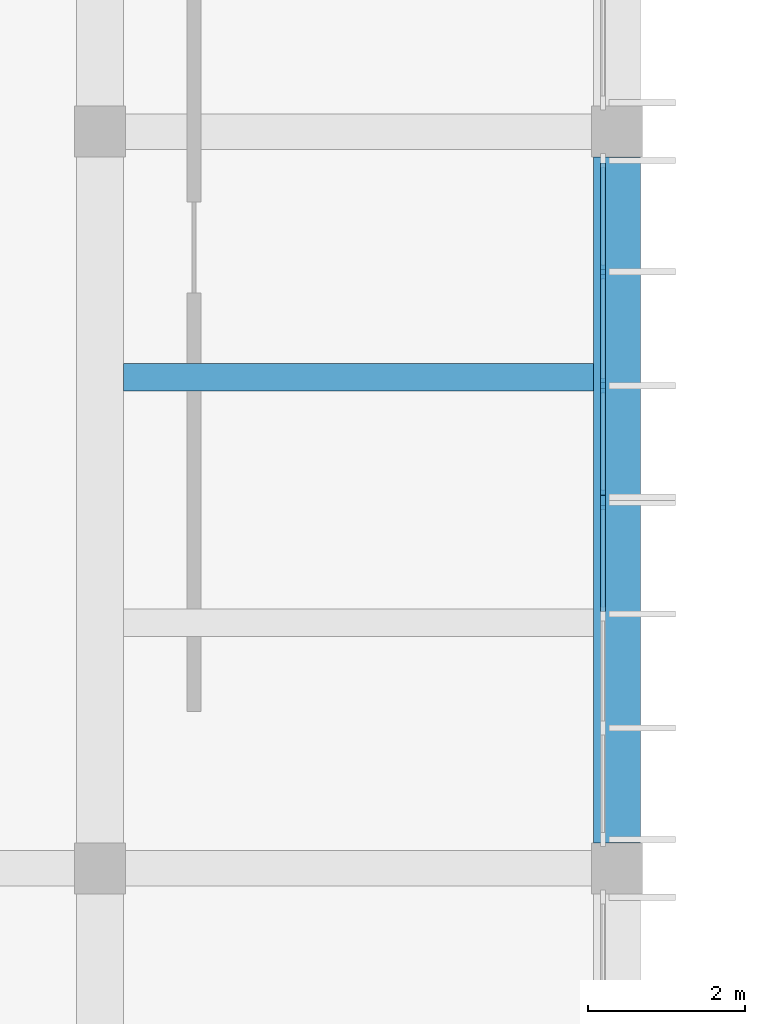
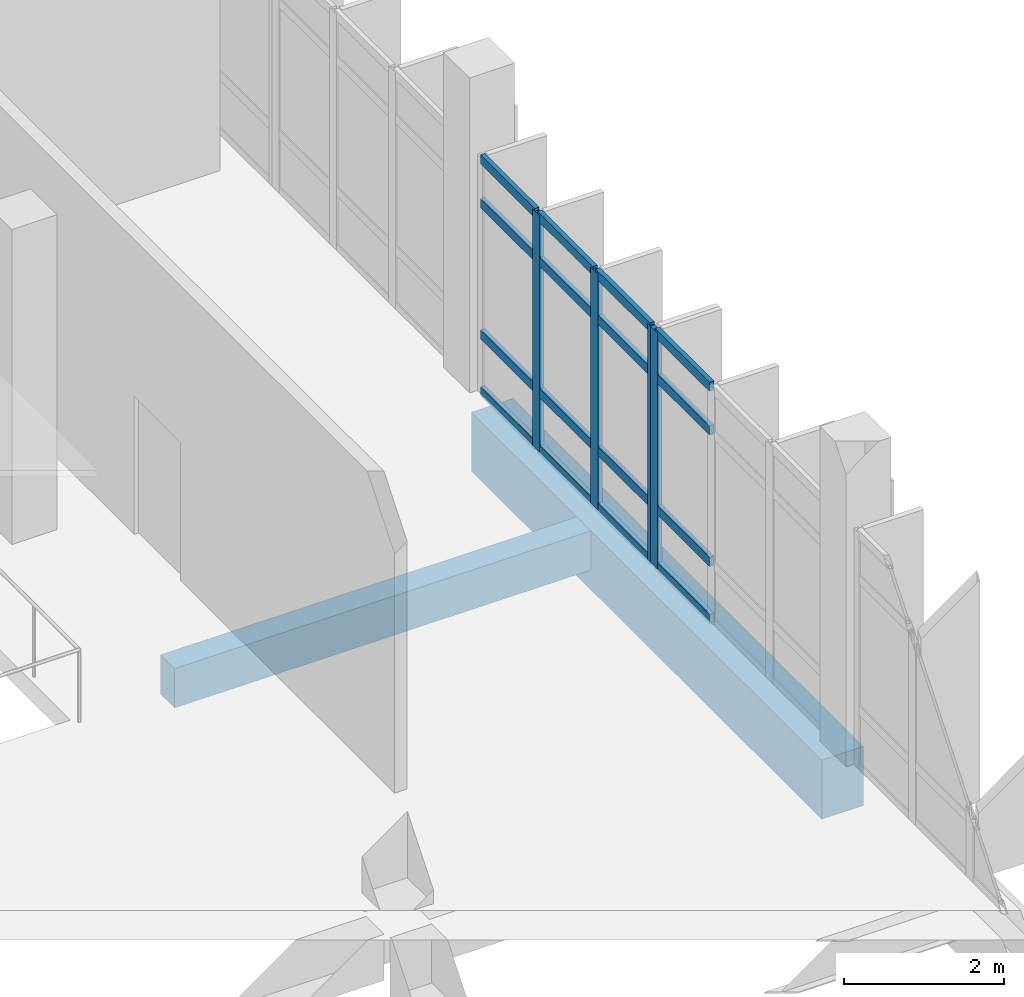
# One storey, part 37 of 90: 20 members, 2 beams, 2 elements without a shape of their own.
"""IFC4 building model written with IfcOpenShell, lengths in metres."""

import ifcopenshell
import ifcopenshell.guid

model = None  # the IFC model being written
_history = None  # IfcOwnerHistory: only IFC2X3 demands one
_inside = {}  # id of a spatial element -> (the spatial element, [elements in it])
_under = {}  # id of a project, library or spatial element -> (it, [spatial elements below it])
_declared = {}  # id of a project -> (the project, [libraries it declares])
_typed = {}  # id of a type object -> (the type object, [elements of that type])
_made_of = {}  # id of a material, layer set ... -> (it, [elements and type objects made of it])


def new_model(schema):
    """Start an empty IFC model of exactly this schema.

    Asked for "IFC4X3", IfcOpenShell would pick the latest addendum, in which some entities
    have other attributes; the version numbers below select the first issue.
    IFC2X3 requires an IfcOwnerHistory on every rooted entity: one is made here for all.
    """
    global model, _history
    if schema == "IFC4X3":
        model = ifcopenshell.file(schema_version=(4, 3, 0, 0))
    else:
        model = ifcopenshell.file(schema=schema)
    _inside.clear()
    _under.clear()
    _declared.clear()
    _typed.clear()
    _made_of.clear()
    _history = None
    if model.schema == "IFC2X3":
        org = make("IfcOrganization", Name="unknown")
        user = make(
            "IfcPersonAndOrganization",
            ThePerson=make("IfcPerson", FamilyName="unknown"),
            TheOrganization=org,
        )
        app = make(
            "IfcApplication",
            ApplicationDeveloper=org,
            Version="unknown",
            ApplicationFullName="unknown",
            ApplicationIdentifier="unknown",
        )
        _history = make(
            "IfcOwnerHistory",
            OwningUser=user,
            OwningApplication=app,
            ChangeAction="ADDED",
            CreationDate=0,
        )
    return model


def make(cls, **values):
    """One entity of the class cls with the attributes given. An attribute that is None is left unset."""
    return model.create_entity(
        cls, **{name: value for name, value in values.items() if value is not None}
    )


def rooted(cls, **values):
    """An entity with a GlobalId (a new one), such as an element, a storey or a relation."""
    return make(cls, GlobalId=ifcopenshell.guid.new(), OwnerHistory=_history, **values)


def si_unit(unit_type, name, prefix=None):
    """IfcSIUnit, for example si_unit("LENGTHUNIT", "METRE", prefix="MILLI")."""
    return make("IfcSIUnit", UnitType=unit_type, Prefix=prefix, Name=name)


def assignment(units):
    """IfcUnitAssignment: the units of a project."""
    return None if units is None else make("IfcUnitAssignment", Units=units)


def point(xyz):
    """IfcCartesianPoint."""
    return None if xyz is None else make("IfcCartesianPoint", Coordinates=xyz)


def direction(xyz):
    """IfcDirection."""
    return None if xyz is None else make("IfcDirection", DirectionRatios=xyz)


def frame(location, z_axis=None, x_axis=None):
    """IfcAxis2Placement3D, a coordinate frame: its origin and axes. An axis left out is left unset."""
    return make(
        "IfcAxis2Placement3D",
        Location=point(location),
        Axis=direction(z_axis),
        RefDirection=direction(x_axis),
    )


def frame_2d(location, x_axis=None):
    """IfcAxis2Placement2D, a coordinate frame in the plane: its origin and x axis."""
    return make(
        "IfcAxis2Placement2D", Location=point(location), RefDirection=direction(x_axis)
    )


def origin():
    """The frame at (0, 0, 0) with its axes left unset."""
    return frame((0.0, 0.0, 0.0))


def origin_2d():
    """The frame at (0, 0) in the plane with its x axis left unset."""
    return frame_2d((0.0, 0.0))


def place(relative_to, where):
    """IfcLocalPlacement: puts the frame where relative to a parent placement (None: the world)."""
    return make(
        "IfcLocalPlacement", PlacementRelTo=relative_to, RelativePlacement=where
    )


def context(
    kind, dimensions, precision=None, world=None, true_north=None, identifier=None
):
    """IfcGeometricRepresentationContext, for example the 3D "Model" context."""
    return make(
        "IfcGeometricRepresentationContext",
        ContextIdentifier=identifier,
        ContextType=kind,
        CoordinateSpaceDimension=dimensions,
        Precision=precision,
        WorldCoordinateSystem=world,
        TrueNorth=true_north,
    )


def subcontext(parent, identifier, kind, view, scale=None):
    """IfcGeometricRepresentationSubContext, for example "Body" below "Model"."""
    return make(
        "IfcGeometricRepresentationSubContext",
        ContextIdentifier=identifier,
        ContextType=kind,
        ParentContext=parent,
        TargetScale=scale,
        TargetView=view,
    )


def project(units=None, contexts=None):
    """IfcProject with its units and contexts."""
    return rooted(
        "IfcProject",
        Name="project",
        RepresentationContexts=contexts,
        UnitsInContext=assignment(units),
    )


def spatial(cls, under=None, at=None, **own):
    """A site, building, storey or space (cls), placed at a placement, below another one or the project."""
    s = rooted(cls, ObjectPlacement=at, **own)
    if under is not None:
        _under.setdefault(under.id(), (under, []))[1].append(s)
    return s


def profile(cls, at=None, kind="AREA", **sizes):
    """A parametric profile (cls). Its sizes go by their IFC names, for example OverallWidth=200.0."""
    return make(cls, ProfileType=kind, Position=at, **sizes)


def rectangle(**sizes):
    """IfcRectangleProfileDef."""
    return profile("IfcRectangleProfileDef", **sizes)


def extrude(swept, where, along, depth):
    """IfcExtrudedAreaSolid: the profile swept, set in the frame where, extruded along a direction by depth."""
    return make(
        "IfcExtrudedAreaSolid",
        SweptArea=swept,
        Position=where,
        ExtrudedDirection=direction(along),
        Depth=depth,
    )


def shape(context_of_items, identifier, shape_type, items):
    """IfcShapeRepresentation: the items that make up one representation, for example the "Body"."""
    return make(
        "IfcShapeRepresentation",
        ContextOfItems=context_of_items,
        RepresentationIdentifier=identifier,
        RepresentationType=shape_type,
        Items=items,
    )


def material(Name=None, Category=None):
    """IfcMaterial."""
    return make("IfcMaterial", Name=Name, Category=Category)


def layer(
    of_material, thickness, ventilated=None, Name=None, Category=None, Priority=None
):
    """IfcMaterialLayer: one layer of a wall or slab, of a material (None: an air gap)."""
    return make(
        "IfcMaterialLayer",
        Material=of_material,
        LayerThickness=thickness,
        IsVentilated=ventilated,
        Name=Name,
        Category=Category,
        Priority=Priority,
    )


def layer_set(layers, Name=None):
    """IfcMaterialLayerSet."""
    return make("IfcMaterialLayerSet", MaterialLayers=layers, LayerSetName=Name)


def material_profile(
    of_material, cross_section, Name=None, Category=None, Priority=None
):
    """IfcMaterialProfile: a cross section and its material."""
    return make(
        "IfcMaterialProfile",
        Name=Name,
        Material=of_material,
        Profile=cross_section,
        Priority=Priority,
        Category=Category,
    )


def profile_set(profiles, Name=None, composite=None):
    """IfcMaterialProfileSet."""
    return make(
        "IfcMaterialProfileSet",
        Name=Name,
        MaterialProfiles=profiles,
        CompositeProfile=composite,
    )


def made_of(thing, what):
    """Note that an element or type object is made of a material, layer set ...; save() writes the relation."""
    if what is not None:
        _made_of.setdefault(what.id(), (what, []))[1].append(thing)
    return thing


def type_object(cls, material=None, **own):
    """A type object (cls), such as IfcWallType, which elements share."""
    return made_of(rooted(cls, **own), material)


def element(
    cls,
    number,
    at=None,
    inside=None,
    cuts=None,
    type_object=None,
    material=None,
    context=None,
    identifier="Body",
    shape_type=None,
    held_by="IfcProductDefinitionShape",
    body=None,
    shapes=None,
    **own,
):
    """One element of the class cls, such as IfcWall. Its Tag is "e" and its number.

    at: its placement. inside: the storey or other place that contains it. cuts: it is an
    opening in that element (IfcRelVoidsElement). A single representation is given by context,
    identifier, shape_type and body (its items); several are given by shapes. held_by: the class
    of the entity that holds the representations. save() writes the other relations.
    """
    e = rooted(cls, Tag="e%d" % number, ObjectPlacement=at, **own)
    if body is not None:
        shapes = [shape(context, identifier, shape_type, body)]
    if shapes is not None:
        e.Representation = make(held_by, Representations=shapes)
    if inside is not None:
        _inside.setdefault(inside.id(), (inside, []))[1].append(e)
    if cuts is not None:
        rooted(
            "IfcRelVoidsElement", RelatingBuildingElement=cuts, RelatedOpeningElement=e
        )
    if type_object is not None:
        _typed.setdefault(type_object.id(), (type_object, []))[1].append(e)
    return made_of(e, material)


def aggregate(whole, parts):
    """IfcRelAggregates: a whole, such as a stair, and the parts it consists of."""
    return rooted("IfcRelAggregates", RelatingObject=whole, RelatedObjects=parts)


def save(model, path):
    """Write the relations noted so far, then the file.

    IfcRelAggregates (storeys below a building ...), IfcRelContainedInSpatialStructure (elements
    in a storey), IfcRelDefinesByType, IfcRelAssociatesMaterial and IfcRelDeclares: one each for
    every whole, place, type object, material and project.
    """
    for whole, parts in _under.values():
        aggregate(whole, parts)
    for where, things in _inside.values():
        rooted(
            "IfcRelContainedInSpatialStructure",
            RelatedElements=things,
            RelatingStructure=where,
        )
    for kind, things in _typed.values():
        rooted("IfcRelDefinesByType", RelatedObjects=things, RelatingType=kind)
    for what, things in _made_of.values():
        rooted("IfcRelAssociatesMaterial", RelatedObjects=things, RelatingMaterial=what)
    for by, libraries in _declared.values():
        rooted("IfcRelDeclares", RelatingContext=by, RelatedDefinitions=libraries)
    model.write(path)


model = new_model("IFC4")

# Units and contexts
model_context = context("Model", 3, precision=1e-05, world=origin(), true_north=direction((0.0, 1.0)))
body_context = subcontext(model_context, "Body", "Model", "MODEL_VIEW")
ifc_project = project(units=[si_unit("LENGTHUNIT", "METRE"), si_unit("AREAUNIT", "SQUARE_METRE"), si_unit("VOLUMEUNIT", "CUBIC_METRE"), si_unit("PLANEANGLEUNIT", "RADIAN"), si_unit("MASSUNIT", "GRAM", prefix="KILO")], contexts=[model_context])

# Site, building, storey
site_placement = place(None, origin())
site = spatial("IfcSite", under=ifc_project, at=site_placement, CompositionType="ELEMENT")
building_placement = place(site_placement, origin())
building = spatial("IfcBuilding", under=site, at=building_placement, Name="Kelarvand Opera House", CompositionType="ELEMENT")
storey_placement = place(building_placement, frame((0.0, 0.0, 5.39990234375)))
storey = spatial("IfcBuildingStorey", under=building, at=storey_placement, Name="L01", CompositionType="ELEMENT", Elevation=5.39990234375)

# Curtain wall, members
ifc_material_1 = material(Name="Thermally broken aluminium and low-E glazing", Category="aluminium")
ifc_layer = layer(ifc_material_1, 0.179931640625, Name="Thermally broken aluminium and low-E glazing", Category="aluminium")
ifc_layer_set = layer_set([ifc_layer], Name="Thermally broken aluminium and low-E glazing")
curtain_wall_type = type_object("IfcCurtainWallType", Name="Unitised Low-E Curtain Wall 4361x3600 Mod 1450 CWF-42", PredefinedType="USERDEFINED", material=ifc_layer_set)
curtain_wall_1_placement = place(storey_placement, origin())
curtain_wall_1 = element("IfcCurtainWall", 1, at=curtain_wall_1_placement, inside=storey, type_object=curtain_wall_type, Name="V5 L01 Curtain Wall CWF-42 (176)", ObjectType="UNITISED CURTAIN WALL", PredefinedType="USERDEFINED")
ifc_material_2 = material(Name="Thermally broken anodised aluminium", Category="aluminium")
ifc_material_profile_1 = material_profile(ifc_material_2, rectangle(XDim=0.06494140625, YDim=0.179931640625, at=origin_2d()), Name="ALU MULLION 65x180", Category="aluminium")
ifc_profile_set_1 = profile_set([ifc_material_profile_1], Name="Thermally broken anodised aluminium")
member_type_1 = type_object("IfcMemberType", Name="Curtain Wall Mullion 65x180 Aluminium", PredefinedType="MULLION", material=ifc_profile_set_1)
member_1_placement = place(storey_placement, frame((135.02001953125, 104.21142578125, 0.0), z_axis=(0.0, 0.0, 1.0), x_axis=(1.0, 0.0, 0.0)))
member_1 = element("IfcMember", 2, at=member_1_placement, type_object=member_type_1, Name="CWF-42 mullion 2", PredefinedType="MULLION", context=body_context, shape_type="SweptSolid", body=[
    extrude(rectangle(XDim=0.06494140625, YDim=0.179931640625, at=origin_2d()), origin(), (0.0, 0.0, 1.0), 3.60009765625),
])
member_2_placement = place(storey_placement, frame((135.02001953125, 102.757568359375, 0.0), z_axis=(0.0, 0.0, 1.0), x_axis=(1.0, 0.0, 0.0)))
member_2 = element("IfcMember", 3, at=member_2_placement, type_object=member_type_1, Name="CWF-42 mullion 3", PredefinedType="MULLION", context=body_context, shape_type="SweptSolid", body=[
    extrude(rectangle(XDim=0.06494140625, YDim=0.179931640625, at=origin_2d()), origin(), (0.0, 0.0, 1.0), 3.60009765625),
])
member_3_placement = place(storey_placement, frame((135.02001953125, 101.33642578125, 0.0), z_axis=(0.0, 0.0, 1.0), x_axis=(1.0, 0.0, 0.0)))
member_3 = element("IfcMember", 4, at=member_3_placement, type_object=member_type_1, Name="CWF-42 mullion 4", PredefinedType="MULLION", context=body_context, shape_type="SweptSolid", body=[
    extrude(rectangle(XDim=0.06494140625, YDim=0.179931640625, at=origin_2d()), origin(), (0.0, 0.0, 1.0), 3.60009765625),
])

# Curtain wall, member
curtain_wall_2_placement = place(storey_placement, origin())
curtain_wall_2 = element("IfcCurtainWall", 5, at=curtain_wall_2_placement, inside=storey, type_object=curtain_wall_type, Name="V5 L01 Curtain Wall CWF-42 (177)", ObjectType="UNITISED CURTAIN WALL", PredefinedType="USERDEFINED")
member_4_placement = place(storey_placement, frame((135.02001953125, 101.267578125, 0.0), z_axis=(0.0, 0.0, 1.0), x_axis=(1.0, 0.0, 0.0)))
member_4 = element("IfcMember", 6, at=member_4_placement, type_object=member_type_1, Name="CWF-42 mullion 1", PredefinedType="MULLION", context=body_context, shape_type="SweptSolid", body=[
    extrude(rectangle(XDim=0.06494140625, YDim=0.179931640625, at=origin_2d()), origin(), (0.0, 0.0, 1.0), 3.60009765625),
])

# Member
ifc_material_profile_2 = material_profile(ifc_material_2, rectangle(XDim=0.06494140625, YDim=0.139892578125, at=origin_2d()), Name="ALU TRANSOM 65x140", Category="aluminium")
ifc_profile_set_2 = profile_set([ifc_material_profile_2], Name="Thermally broken anodised aluminium")
member_type_2 = type_object("IfcMemberType", Name="Curtain Wall Transom 65x140 Aluminium", PredefinedType="USERDEFINED", material=ifc_profile_set_2)
member_5_placement = place(storey_placement, frame((135.02001953125, 105.60009765625, 0.03271484375), z_axis=(0.0, -1.0, 0.0), x_axis=(1.0, 0.0, 0.0)))
member_5 = element("IfcMember", 7, at=member_5_placement, type_object=member_type_2, Name="CWF-42 transom 1.1", ObjectType="TRANSOM", PredefinedType="USERDEFINED", context=body_context, shape_type="SweptSolid", body=[
    extrude(rectangle(XDim=0.06494140625, YDim=0.139892578125, at=origin_2d()), origin(), (0.0, 0.0, 1.0), 1.356201171875),
])

member_6_placement = place(storey_placement, frame((135.02001953125, 105.60009765625, 0.900146484375), z_axis=(0.0, -1.0, 0.0), x_axis=(1.0, 0.0, 0.0)))
member_6 = element("IfcMember", 8, at=member_6_placement, type_object=member_type_2, Name="CWF-42 transom 1.2", ObjectType="TRANSOM", PredefinedType="USERDEFINED", context=body_context, shape_type="SweptSolid", body=[
    extrude(rectangle(XDim=0.06494140625, YDim=0.139892578125, at=origin_2d()), origin(), (0.0, 0.0, 1.0), 1.356201171875),
])

member_7_placement = place(storey_placement, frame((135.02001953125, 105.60009765625, 2.900146484375), z_axis=(0.0, -1.0, 0.0), x_axis=(1.0, 0.0, 0.0)))
member_7 = element("IfcMember", 9, at=member_7_placement, type_object=member_type_2, Name="CWF-42 transom 1.3", ObjectType="TRANSOM", PredefinedType="USERDEFINED", context=body_context, shape_type="SweptSolid", body=[
    extrude(rectangle(XDim=0.06494140625, YDim=0.139892578125, at=origin_2d()), origin(), (0.0, 0.0, 1.0), 1.356201171875),
])

member_8_placement = place(storey_placement, frame((135.02001953125, 105.60009765625, 3.567626953125), z_axis=(0.0, -1.0, 0.0), x_axis=(1.0, 0.0, 0.0)))
member_8 = element("IfcMember", 10, at=member_8_placement, type_object=member_type_2, Name="CWF-42 transom 1.4", ObjectType="TRANSOM", PredefinedType="USERDEFINED", context=body_context, shape_type="SweptSolid", body=[
    extrude(rectangle(XDim=0.06494140625, YDim=0.139892578125, at=origin_2d()), origin(), (0.0, 0.0, 1.0), 1.356201171875),
])

member_9_placement = place(storey_placement, frame((135.02001953125, 104.178955078125, 0.03271484375), z_axis=(0.0, -1.0, 0.0), x_axis=(1.0, 0.0, 0.0)))
member_9 = element("IfcMember", 11, at=member_9_placement, type_object=member_type_2, Name="CWF-42 transom 2.1", ObjectType="TRANSOM", PredefinedType="USERDEFINED", context=body_context, shape_type="SweptSolid", body=[
    extrude(rectangle(XDim=0.06494140625, YDim=0.139892578125, at=origin_2d()), origin(), (0.0, 0.0, 1.0), 1.388671875),
])

member_10_placement = place(storey_placement, frame((135.02001953125, 104.178955078125, 0.900146484375), z_axis=(0.0, -1.0, 0.0), x_axis=(1.0, 0.0, 0.0)))
member_10 = element("IfcMember", 12, at=member_10_placement, type_object=member_type_2, Name="CWF-42 transom 2.2", ObjectType="TRANSOM", PredefinedType="USERDEFINED", context=body_context, shape_type="SweptSolid", body=[
    extrude(rectangle(XDim=0.06494140625, YDim=0.139892578125, at=origin_2d()), origin(), (0.0, 0.0, 1.0), 1.388671875),
])

member_11_placement = place(storey_placement, frame((135.02001953125, 104.178955078125, 2.900146484375), z_axis=(0.0, -1.0, 0.0), x_axis=(1.0, 0.0, 0.0)))
member_11 = element("IfcMember", 13, at=member_11_placement, type_object=member_type_2, Name="CWF-42 transom 2.3", ObjectType="TRANSOM", PredefinedType="USERDEFINED", context=body_context, shape_type="SweptSolid", body=[
    extrude(rectangle(XDim=0.06494140625, YDim=0.139892578125, at=origin_2d()), origin(), (0.0, 0.0, 1.0), 1.388671875),
])

member_12_placement = place(storey_placement, frame((135.02001953125, 104.178955078125, 3.567626953125), z_axis=(0.0, -1.0, 0.0), x_axis=(1.0, 0.0, 0.0)))
member_12 = element("IfcMember", 14, at=member_12_placement, type_object=member_type_2, Name="CWF-42 transom 2.4", ObjectType="TRANSOM", PredefinedType="USERDEFINED", context=body_context, shape_type="SweptSolid", body=[
    extrude(rectangle(XDim=0.06494140625, YDim=0.139892578125, at=origin_2d()), origin(), (0.0, 0.0, 1.0), 1.388671875),
])

member_13_placement = place(storey_placement, frame((135.02001953125, 102.72509765625, 0.03271484375), z_axis=(0.0, -1.0, 0.0), x_axis=(1.0, 0.0, 0.0)))
member_13 = element("IfcMember", 15, at=member_13_placement, type_object=member_type_2, Name="CWF-42 transom 3.1", ObjectType="TRANSOM", PredefinedType="USERDEFINED", context=body_context, shape_type="SweptSolid", body=[
    extrude(rectangle(XDim=0.06494140625, YDim=0.139892578125, at=origin_2d()), origin(), (0.0, 0.0, 1.0), 1.356201171875),
])

member_14_placement = place(storey_placement, frame((135.02001953125, 102.72509765625, 0.900146484375), z_axis=(0.0, -1.0, 0.0), x_axis=(1.0, 0.0, 0.0)))
member_14 = element("IfcMember", 16, at=member_14_placement, type_object=member_type_2, Name="CWF-42 transom 3.2", ObjectType="TRANSOM", PredefinedType="USERDEFINED", context=body_context, shape_type="SweptSolid", body=[
    extrude(rectangle(XDim=0.06494140625, YDim=0.139892578125, at=origin_2d()), origin(), (0.0, 0.0, 1.0), 1.356201171875),
])

member_15_placement = place(storey_placement, frame((135.02001953125, 102.72509765625, 2.900146484375), z_axis=(0.0, -1.0, 0.0), x_axis=(1.0, 0.0, 0.0)))
member_15 = element("IfcMember", 17, at=member_15_placement, type_object=member_type_2, Name="CWF-42 transom 3.3", ObjectType="TRANSOM", PredefinedType="USERDEFINED", context=body_context, shape_type="SweptSolid", body=[
    extrude(rectangle(XDim=0.06494140625, YDim=0.139892578125, at=origin_2d()), origin(), (0.0, 0.0, 1.0), 1.356201171875),
])

member_16_placement = place(storey_placement, frame((135.02001953125, 102.72509765625, 3.567626953125), z_axis=(0.0, -1.0, 0.0), x_axis=(1.0, 0.0, 0.0)))
member_16 = element("IfcMember", 18, at=member_16_placement, type_object=member_type_2, Name="CWF-42 transom 3.4", ObjectType="TRANSOM", PredefinedType="USERDEFINED", context=body_context, shape_type="SweptSolid", body=[
    extrude(rectangle(XDim=0.06494140625, YDim=0.139892578125, at=origin_2d()), origin(), (0.0, 0.0, 1.0), 1.356201171875),
])

aggregate(curtain_wall_1, [member_1, member_2, member_3, member_5, member_6, member_7, member_8, member_9, member_10, member_11, member_12, member_13, member_14, member_15, member_16])

member_17_placement = place(storey_placement, frame((135.02001953125, 101.235107421875, 0.03271484375), z_axis=(0.0, -1.0, 0.0), x_axis=(1.0, 0.0, 0.0)))
member_17 = element("IfcMember", 19, at=member_17_placement, type_object=member_type_2, Name="CWF-42 transom 1.1", ObjectType="TRANSOM", PredefinedType="USERDEFINED", context=body_context, shape_type="SweptSolid", body=[
    extrude(rectangle(XDim=0.06494140625, YDim=0.139892578125, at=origin_2d()), origin(), (0.0, 0.0, 1.0), 1.357666015625),
])

member_18_placement = place(storey_placement, frame((135.02001953125, 101.235107421875, 0.900146484375), z_axis=(0.0, -1.0, 0.0), x_axis=(1.0, 0.0, 0.0)))
member_18 = element("IfcMember", 20, at=member_18_placement, type_object=member_type_2, Name="CWF-42 transom 1.2", ObjectType="TRANSOM", PredefinedType="USERDEFINED", context=body_context, shape_type="SweptSolid", body=[
    extrude(rectangle(XDim=0.06494140625, YDim=0.139892578125, at=origin_2d()), origin(), (0.0, 0.0, 1.0), 1.357666015625),
])

member_19_placement = place(storey_placement, frame((135.02001953125, 101.235107421875, 2.900146484375), z_axis=(0.0, -1.0, 0.0), x_axis=(1.0, 0.0, 0.0)))
member_19 = element("IfcMember", 21, at=member_19_placement, type_object=member_type_2, Name="CWF-42 transom 1.3", ObjectType="TRANSOM", PredefinedType="USERDEFINED", context=body_context, shape_type="SweptSolid", body=[
    extrude(rectangle(XDim=0.06494140625, YDim=0.139892578125, at=origin_2d()), origin(), (0.0, 0.0, 1.0), 1.357666015625),
])

member_20_placement = place(storey_placement, frame((135.02001953125, 101.235107421875, 3.567626953125), z_axis=(0.0, -1.0, 0.0), x_axis=(1.0, 0.0, 0.0)))
member_20 = element("IfcMember", 22, at=member_20_placement, type_object=member_type_2, Name="CWF-42 transom 1.4", ObjectType="TRANSOM", PredefinedType="USERDEFINED", context=body_context, shape_type="SweptSolid", body=[
    extrude(rectangle(XDim=0.06494140625, YDim=0.139892578125, at=origin_2d()), origin(), (0.0, 0.0, 1.0), 1.357666015625),
])

aggregate(curtain_wall_2, [member_4, member_17, member_18, member_19, member_20])

# Beams
ifc_material_3 = material(Name="Concrete C35/45", Category="concrete")
ifc_material_profile_3 = material_profile(ifc_material_3, rectangle(XDim=0.35009765625, YDim=0.60009765625, at=origin_2d()), Name="RC 350x600", Category="concrete")
ifc_profile_set_3 = profile_set([ifc_material_profile_3], Name="Concrete C35/45")
beam_type_1 = type_object("IfcBeamType", Name="Structural Beam RC 350x600 BM-RC350x600", PredefinedType="BEAM", material=ifc_profile_set_3)
beam_1_placement = place(storey_placement, frame((128.89990234375, 102.86669921875, -0.599853515625), z_axis=(1.0, 0.0, 0.0), x_axis=(0.0, 1.0, 0.0)))
element("IfcBeam", 23, at=beam_1_placement, inside=storey, type_object=beam_type_1, Name="V5 L01 Beam BM-RC350x600", PredefinedType="BEAM", context=body_context, shape_type="SweptSolid", body=[
    extrude(rectangle(XDim=0.35009765625, YDim=0.60009765625, at=origin_2d()), origin(), (0.0, 0.0, 1.0), 6.0),
])
ifc_material_4 = material(Name="Concrete C40/50", Category="concrete")
ifc_material_profile_4 = material_profile(ifc_material_4, rectangle(XDim=0.60009765625, YDim=0.89990234375, at=origin_2d()), Name="RC 600x900", Category="concrete")
ifc_profile_set_4 = profile_set([ifc_material_profile_4], Name="Concrete C40/50")
beam_type_2 = type_object("IfcBeamType", Name="Structural Spandrel RC 600x900 SP-RC600x900E", PredefinedType="SPANDREL", material=ifc_profile_set_4)
beam_2_placement = place(storey_placement, frame((135.199951171875, 96.925048828125, -0.75), z_axis=(0.0, 1.0, 0.0), x_axis=(-1.0, 0.0, 0.0)))
element("IfcBeam", 24, at=beam_2_placement, inside=storey, type_object=beam_type_2, Name="V5 L01 Beam SP-RC600x900E", PredefinedType="SPANDREL", context=body_context, shape_type="SweptSolid", body=[
    extrude(rectangle(XDim=0.60009765625, YDim=0.89990234375, at=origin_2d()), origin(), (0.0, 0.0, 1.0), 8.75),
])

save(model, "model.ifc")
